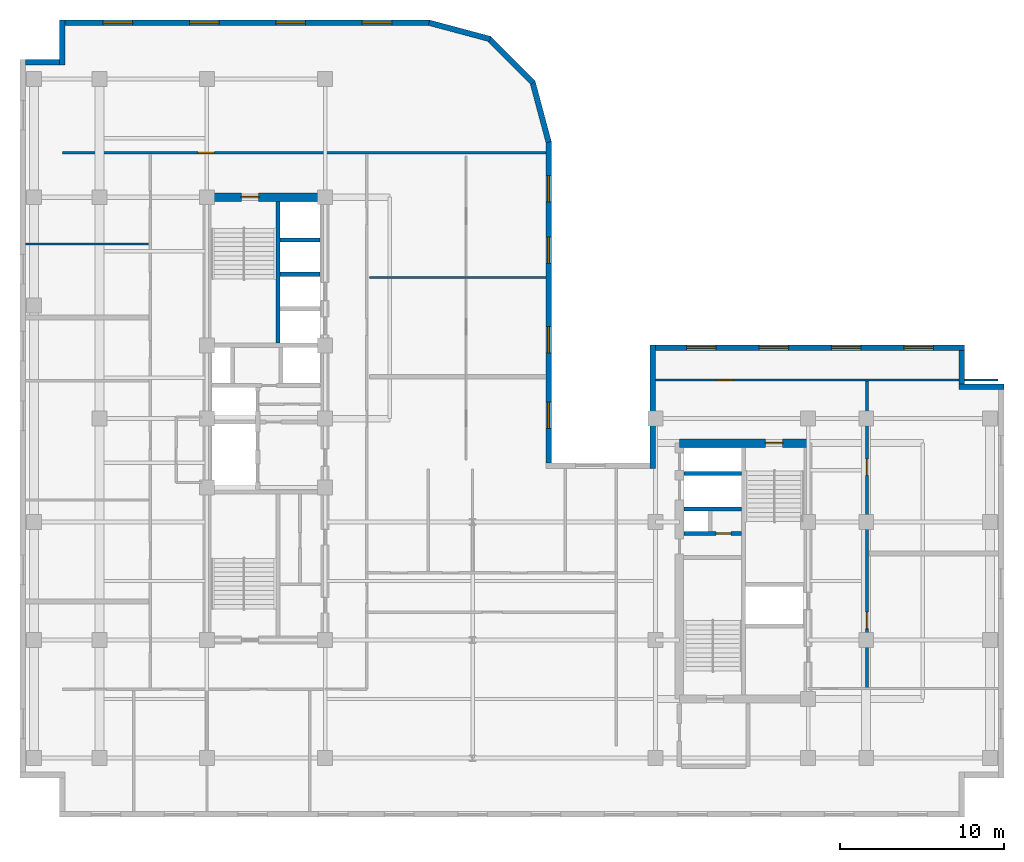
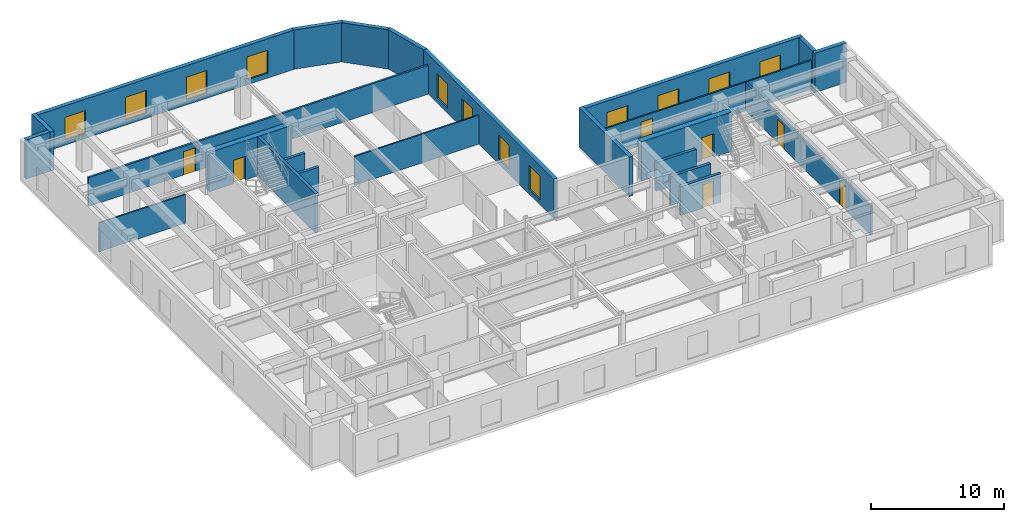
# One storey, part 7 of 11: 24 walls, 12 windows, 7 doors, 19 openings.
"""IFC4 building model written with IfcOpenShell, lengths in metres."""

from ifc_helpers import new_model, entity, si_unit, converted_unit, direction, frame, origin_with_axes, origin_2d_with_axis, place, context, subcontext, project, spatial, polyline, rectangle, outline, extrude, material, layer, layer_set, type_object, element, fill, save


model = new_model("IFC4")

# Units and contexts
model_context = context("Model", 3, precision=1e-05, world=origin_with_axes(), true_north=direction((0.0, 1.0)))
body_context = subcontext(model_context, "Body", "Model", "MODEL_VIEW")
ifc_project = project(units=[si_unit("LENGTHUNIT", "METRE"), si_unit("AREAUNIT", "SQUARE_METRE"), si_unit("VOLUMEUNIT", "CUBIC_METRE"), converted_unit("PLANEANGLEUNIT", "DEGREE", entity("IfcPlaneAngleMeasure", 0.017453292519943295), si_unit("PLANEANGLEUNIT", "RADIAN"), dimensions=[0, 0, 0, 0, 0, 0, 0]), si_unit("MASSUNIT", "GRAM", prefix="KILO"), si_unit("THERMODYNAMICTEMPERATUREUNIT", "KELVIN")], contexts=[model_context])

# Site, building, storey
site_placement = place(None, origin_with_axes())
site = spatial("IfcSite", under=ifc_project, at=site_placement, CompositionType="ELEMENT")
building_placement = place(site_placement, origin_with_axes())
building = spatial("IfcBuilding", under=site, at=building_placement, Name="Varnlund Millrace Tower", CompositionType="ELEMENT")
storey_placement = place(building_placement, frame((0.0, 0.0, 216.0), z_axis=(0.0, 0.0, 1.0), x_axis=(1.0, 0.0, 0.0)))
storey = spatial("IfcBuildingStorey", under=building, at=storey_placement, Name="L53", CompositionType="ELEMENT", Elevation=216.0)

# Wall, opening, door
ifc_material_1 = material(Name="Concrete C70/85", Category="concrete")
ifc_layer_1 = layer(ifc_material_1, 0.5, Name="Concrete C70/85")
ifc_layer_set_1 = layer_set([ifc_layer_1], Name="Concrete C70/85")
wall_type_1 = type_object("IfcWallType", Name="Type-CoreWall-Shear-500-C70", PredefinedType="SHEAR", material=ifc_layer_set_1)
wall_1_placement = place(storey_placement, frame((11.4, 37.8, 0.0), z_axis=(0.0, 0.0, 1.0), x_axis=(1.0, 0.0, 0.0)))
wall_1 = element("IfcWall", 1, at=wall_1_placement, inside=storey, type_object=wall_type_1, Name="Type-CoreWall-Shear-500-C70", PredefinedType="SHEAR", context=body_context, shape_type="SweptSolid", body=[
    extrude(outline(polyline([(0.0, -0.25), (7.2, -0.25), (7.2, 0.25), (0.0, 0.25), (0.0, -0.25)])), origin_with_axes(), (0.0, 0.0, 1.0), 3.6),
])
opening_1_placement = place(wall_1_placement, frame((2.625, 0.0, 0.0), z_axis=(0.0, 0.0, 1.0), x_axis=(1.0, 0.0, 0.0)))
opening_1 = element("IfcOpeningElement", 2, at=opening_1_placement, cuts=wall_1, Name="Opening L53:DR-STA2", PredefinedType="OPENING", context=body_context, shape_type="SweptSolid", body=[
    extrude(rectangle(XDim=1.05, YDim=0.52, at=origin_2d_with_axis()), origin_with_axes(), (0.0, 0.0, 1.0), 2.15),
])
ifc_material_2 = material(Name="Fire-rated hollow steel door", Category="steel")
door_type_1 = type_object("IfcDoorType", Name="Type-FireDoor-Stair-1050X2150", OperationType="NOTDEFINED", PredefinedType="DOOR", material=ifc_material_2)
door_1_placement = place(wall_1_placement, frame((2.625, 0.0, 0.0), z_axis=(0.0, 0.0, 1.0), x_axis=(1.0, 0.0, 0.0)))
door_1 = element("IfcDoor", 3, at=door_1_placement, inside=storey, type_object=door_type_1, Name="Type-FireDoor-Stair-1050X2150", OperationType="SINGLE_SWING_RIGHT", OverallHeight=2.15, OverallWidth=1.05, PredefinedType="DOOR", context=body_context, shape_type="SweptSolid", body=[
    extrude(rectangle(XDim=1.05, YDim=0.09, at=origin_2d_with_axis()), origin_with_axes(), (0.0, 0.0, 1.0), 2.15),
])
fill(opening_1, door_1)

wall_2_placement = place(storey_placement, frame((40.2, 22.8, 0.0), z_axis=(0.0, 0.0, 1.0), x_axis=(1.0, 0.0, 0.0)))
wall_2 = element("IfcWall", 4, at=wall_2_placement, inside=storey, type_object=wall_type_1, Name="Type-CoreWall-Shear-500-C70", PredefinedType="SHEAR", context=body_context, shape_type="SweptSolid", body=[
    extrude(outline(polyline([(0.0, -0.25), (7.85, -0.25), (7.85, 0.25), (0.0, 0.25), (0.0, -0.25)])), origin_with_axes(), (0.0, 0.0, 1.0), 3.6),
])
opening_2_placement = place(wall_2_placement, frame((5.775, 0.0, 0.0), z_axis=(0.0, 0.0, 1.0), x_axis=(1.0, 0.0, 0.0)))
opening_2 = element("IfcOpeningElement", 5, at=opening_2_placement, cuts=wall_2, Name="Opening L53:DR-STB2", PredefinedType="OPENING", context=body_context, shape_type="SweptSolid", body=[
    extrude(rectangle(XDim=1.05, YDim=0.52, at=origin_2d_with_axis()), origin_with_axes(), (0.0, 0.0, 1.0), 2.15),
])
door_2_placement = place(wall_2_placement, frame((5.775, 0.0, 0.0), z_axis=(0.0, 0.0, 1.0), x_axis=(1.0, 0.0, 0.0)))
door_2 = element("IfcDoor", 6, at=door_2_placement, inside=storey, type_object=door_type_1, Name="Type-FireDoor-Stair-1050X2150", OperationType="SINGLE_SWING_RIGHT", OverallHeight=2.15, OverallWidth=1.05, PredefinedType="DOOR", context=body_context, shape_type="SweptSolid", body=[
    extrude(rectangle(XDim=1.05, YDim=0.09, at=origin_2d_with_axis()), origin_with_axes(), (0.0, 0.0, 1.0), 2.15),
])
fill(opening_2, door_2)

# Wall
ifc_material_3 = material(Name="Precast concrete C50/60", Category="concrete")
ifc_layer_2 = layer(ifc_material_3, 0.34, Name="Precast concrete C50/60")
ifc_layer_set_2 = layer_set([ifc_layer_2], Name="Precast concrete C50/60")
wall_type_2 = type_object("IfcWallType", Name="Type-ExtWall-Precast-Upper-340", PredefinedType="SOLIDWALL", material=ifc_layer_set_2)
wall_3_placement = place(storey_placement, frame((38.57, 21.26, 0.0), z_axis=(0.0, 0.0, 1.0), x_axis=(0.0, 1.0, 0.0)))
element("IfcWall", 7, at=wall_3_placement, inside=storey, type_object=wall_type_2, Name="Type-ExtWall-Precast-Upper-340", PredefinedType="SOLIDWALL", context=body_context, shape_type="SweptSolid", body=[
    extrude(outline(polyline([(0.0, -0.17), (7.54, -0.17), (7.54, 0.17), (0.0, 0.17), (0.0, -0.17)])), origin_with_axes(), (0.0, 0.0, 1.0), 3.6),
])

# Wall, openings, windows
wall_4_placement = place(storey_placement, frame((38.74, 28.63, 0.0), z_axis=(0.0, 0.0, 1.0), x_axis=(1.0, 0.0, 0.0)))
wall_4 = element("IfcWall", 8, at=wall_4_placement, inside=storey, type_object=wall_type_2, Name="Type-ExtWall-Precast-Upper-340", PredefinedType="SOLIDWALL", context=body_context, shape_type="SweptSolid", body=[
    extrude(outline(polyline([(0.0, -0.17), (18.86, -0.17), (18.86, 0.17), (0.0, 0.17), (0.0, -0.17)])), origin_with_axes(), (0.0, 0.0, 1.0), 3.6),
])
opening_3_placement = place(wall_4_placement, frame((2.808, 0.0, 0.45), z_axis=(0.0, 0.0, 1.0), x_axis=(1.0, 0.0, 0.0)))
opening_3 = element("IfcOpeningElement", 9, at=opening_3_placement, cuts=wall_4, Name="Opening L53:WN-01", PredefinedType="OPENING", context=body_context, shape_type="SweptSolid", body=[
    extrude(rectangle(XDim=1.8, YDim=0.36, at=origin_2d_with_axis()), origin_with_axes(), (0.0, 0.0, 1.0), 2.1),
])
opening_4_placement = place(wall_4_placement, frame((7.222, 0.0, 0.45), z_axis=(0.0, 0.0, 1.0), x_axis=(1.0, 0.0, 0.0)))
opening_4 = element("IfcOpeningElement", 10, at=opening_4_placement, cuts=wall_4, Name="Opening L53:WN-02", PredefinedType="OPENING", context=body_context, shape_type="SweptSolid", body=[
    extrude(rectangle(XDim=1.8, YDim=0.36, at=origin_2d_with_axis()), origin_with_axes(), (0.0, 0.0, 1.0), 2.1),
])
opening_5_placement = place(wall_4_placement, frame((11.637, 0.0, 0.45), z_axis=(0.0, 0.0, 1.0), x_axis=(1.0, 0.0, 0.0)))
opening_5 = element("IfcOpeningElement", 11, at=opening_5_placement, cuts=wall_4, Name="Opening L53:WN-03", PredefinedType="OPENING", context=body_context, shape_type="SweptSolid", body=[
    extrude(rectangle(XDim=1.8, YDim=0.36, at=origin_2d_with_axis()), origin_with_axes(), (0.0, 0.0, 1.0), 2.1),
])
opening_6_placement = place(wall_4_placement, frame((16.053, 0.0, 0.45), z_axis=(0.0, 0.0, 1.0), x_axis=(1.0, 0.0, 0.0)))
opening_6 = element("IfcOpeningElement", 12, at=opening_6_placement, cuts=wall_4, Name="Opening L53:WN-04", PredefinedType="OPENING", context=body_context, shape_type="SweptSolid", body=[
    extrude(rectangle(XDim=1.8, YDim=0.36, at=origin_2d_with_axis()), origin_with_axes(), (0.0, 0.0, 1.0), 2.1),
])
ifc_material_4 = material(Name="Argon low-e triple glazing in thermally broken bronze frame", Category="glass")
window_type_1 = type_object("IfcWindowType", Name="Type-Window-Punched-1800X2100", PartitioningType="SINGLE_PANEL", PredefinedType="WINDOW", material=ifc_material_4)
window_1_placement = place(wall_4_placement, frame((2.808, 0.0, 0.45), z_axis=(0.0, 0.0, 1.0), x_axis=(1.0, 0.0, 0.0)))
window_1 = element("IfcWindow", 13, at=window_1_placement, inside=storey, type_object=window_type_1, Name="Type-Window-Punched-1800X2100", OverallHeight=2.1, OverallWidth=1.8, PredefinedType="WINDOW", context=body_context, shape_type="SweptSolid", body=[
    extrude(rectangle(XDim=1.8, YDim=0.09, at=origin_2d_with_axis()), origin_with_axes(), (0.0, 0.0, 1.0), 2.1),
])
fill(opening_3, window_1)
window_2_placement = place(wall_4_placement, frame((7.222, 0.0, 0.45), z_axis=(0.0, 0.0, 1.0), x_axis=(1.0, 0.0, 0.0)))
window_2 = element("IfcWindow", 14, at=window_2_placement, inside=storey, type_object=window_type_1, Name="Type-Window-Punched-1800X2100", OverallHeight=2.1, OverallWidth=1.8, PredefinedType="WINDOW", context=body_context, shape_type="SweptSolid", body=[
    extrude(rectangle(XDim=1.8, YDim=0.09, at=origin_2d_with_axis()), origin_with_axes(), (0.0, 0.0, 1.0), 2.1),
])
fill(opening_4, window_2)
window_3_placement = place(wall_4_placement, frame((11.637, 0.0, 0.45), z_axis=(0.0, 0.0, 1.0), x_axis=(1.0, 0.0, 0.0)))
window_3 = element("IfcWindow", 15, at=window_3_placement, inside=storey, type_object=window_type_1, Name="Type-Window-Punched-1800X2100", OverallHeight=2.1, OverallWidth=1.8, PredefinedType="WINDOW", context=body_context, shape_type="SweptSolid", body=[
    extrude(rectangle(XDim=1.8, YDim=0.09, at=origin_2d_with_axis()), origin_with_axes(), (0.0, 0.0, 1.0), 2.1),
])
fill(opening_5, window_3)
window_4_placement = place(wall_4_placement, frame((16.053, 0.0, 0.45), z_axis=(0.0, 0.0, 1.0), x_axis=(1.0, 0.0, 0.0)))
window_4 = element("IfcWindow", 16, at=window_4_placement, inside=storey, type_object=window_type_1, Name="Type-Window-Punched-1800X2100", OverallHeight=2.1, OverallWidth=1.8, PredefinedType="WINDOW", context=body_context, shape_type="SweptSolid", body=[
    extrude(rectangle(XDim=1.8, YDim=0.09, at=origin_2d_with_axis()), origin_with_axes(), (0.0, 0.0, 1.0), 2.1),
])
fill(opening_6, window_4)

# Walls
wall_5_placement = place(storey_placement, frame((57.43, 28.46, 0.0), z_axis=(0.0, 0.0, 1.0), x_axis=(0.0, -1.0, 0.0)))
element("IfcWall", 17, at=wall_5_placement, inside=storey, type_object=wall_type_2, Name="Type-ExtWall-Precast-Upper-340", PredefinedType="SOLIDWALL", context=body_context, shape_type="SweptSolid", body=[
    extrude(outline(polyline([(0.0, -0.17), (2.06, -0.17), (2.06, 0.17), (0.0, 0.17), (0.0, -0.17)])), origin_with_axes(), (0.0, 0.0, 1.0), 3.6),
])
wall_6_placement = place(storey_placement, frame((57.26, 26.23, 0.0), z_axis=(0.0, 0.0, 1.0), x_axis=(1.0, 0.0, 0.0)))
element("IfcWall", 18, at=wall_6_placement, inside=storey, type_object=wall_type_2, Name="Type-ExtWall-Precast-Upper-340", PredefinedType="SOLIDWALL", context=body_context, shape_type="SweptSolid", body=[
    extrude(outline(polyline([(0.0, -0.17), (2.74, -0.17), (2.74, 0.17), (0.0, 0.17), (0.0, -0.17)])), origin_with_axes(), (0.0, 0.0, 1.0), 3.6),
])
wall_7_placement = place(storey_placement, frame((0.34, 46.03, 0.0), z_axis=(0.0, 0.0, 1.0), x_axis=(1.0, 0.0, 0.0)))
element("IfcWall", 19, at=wall_7_placement, inside=storey, type_object=wall_type_2, Name="Type-ExtWall-Precast-Upper-340", PredefinedType="SOLIDWALL", context=body_context, shape_type="SweptSolid", body=[
    extrude(outline(polyline([(0.0, -0.17), (2.06, -0.17), (2.06, 0.17), (0.0, 0.17), (0.0, -0.17)])), origin_with_axes(), (0.0, 0.0, 1.0), 3.6),
])
wall_8_placement = place(storey_placement, frame((2.57, 45.86, 0.0), z_axis=(0.0, 0.0, 1.0), x_axis=(0.0, 1.0, 0.0)))
element("IfcWall", 20, at=wall_8_placement, inside=storey, type_object=wall_type_2, Name="Type-ExtWall-Precast-Upper-340", PredefinedType="SOLIDWALL", context=body_context, shape_type="SweptSolid", body=[
    extrude(outline(polyline([(0.0, -0.17), (2.74, -0.17), (2.74, 0.17), (0.0, 0.17), (0.0, -0.17)])), origin_with_axes(), (0.0, 0.0, 1.0), 3.6),
])

# Wall, openings, windows
wall_9_placement = place(storey_placement, frame((2.74, 48.43, 0.0), z_axis=(0.0, 0.0, 1.0), x_axis=(1.0, 0.0, 0.0)))
wall_9 = element("IfcWall", 21, at=wall_9_placement, inside=storey, type_object=wall_type_2, Name="Type-ExtWall-Precast-Upper-340", PredefinedType="SOLIDWALL", context=body_context, shape_type="SweptSolid", body=[
    extrude(outline(polyline([(0.0, -0.17), (22.26, -0.17), (22.26, 0.17), (0.0, 0.17), (0.0, -0.17)])), origin_with_axes(), (0.0, 0.0, 1.0), 3.6),
])
opening_7_placement = place(wall_9_placement, frame((3.233, 0.0, 0.45), z_axis=(0.0, 0.0, 1.0), x_axis=(1.0, 0.0, 0.0)))
opening_7 = element("IfcOpeningElement", 22, at=opening_7_placement, cuts=wall_9, Name="Opening L53:WN-26", PredefinedType="OPENING", context=body_context, shape_type="SweptSolid", body=[
    extrude(rectangle(XDim=1.8, YDim=0.36, at=origin_2d_with_axis()), origin_with_axes(), (0.0, 0.0, 1.0), 2.1),
])
opening_8_placement = place(wall_9_placement, frame((8.497, 0.0, 0.45), z_axis=(0.0, 0.0, 1.0), x_axis=(1.0, 0.0, 0.0)))
opening_8 = element("IfcOpeningElement", 23, at=opening_8_placement, cuts=wall_9, Name="Opening L53:WN-27", PredefinedType="OPENING", context=body_context, shape_type="SweptSolid", body=[
    extrude(rectangle(XDim=1.8, YDim=0.36, at=origin_2d_with_axis()), origin_with_axes(), (0.0, 0.0, 1.0), 2.1),
])
opening_9_placement = place(wall_9_placement, frame((13.762, 0.0, 0.45), z_axis=(0.0, 0.0, 1.0), x_axis=(1.0, 0.0, 0.0)))
opening_9 = element("IfcOpeningElement", 24, at=opening_9_placement, cuts=wall_9, Name="Opening L53:WN-28", PredefinedType="OPENING", context=body_context, shape_type="SweptSolid", body=[
    extrude(rectangle(XDim=1.8, YDim=0.36, at=origin_2d_with_axis()), origin_with_axes(), (0.0, 0.0, 1.0), 2.1),
])
opening_10_placement = place(wall_9_placement, frame((19.028, 0.0, 0.45), z_axis=(0.0, 0.0, 1.0), x_axis=(1.0, 0.0, 0.0)))
opening_10 = element("IfcOpeningElement", 25, at=opening_10_placement, cuts=wall_9, Name="Opening L53:WN-29", PredefinedType="OPENING", context=body_context, shape_type="SweptSolid", body=[
    extrude(rectangle(XDim=1.8, YDim=0.36, at=origin_2d_with_axis()), origin_with_axes(), (0.0, 0.0, 1.0), 2.1),
])
window_5_placement = place(wall_9_placement, frame((3.233, 0.0, 0.45), z_axis=(0.0, 0.0, 1.0), x_axis=(1.0, 0.0, 0.0)))
window_5 = element("IfcWindow", 26, at=window_5_placement, inside=storey, type_object=window_type_1, Name="Type-Window-Punched-1800X2100", OverallHeight=2.1, OverallWidth=1.8, PredefinedType="WINDOW", context=body_context, shape_type="SweptSolid", body=[
    extrude(rectangle(XDim=1.8, YDim=0.09, at=origin_2d_with_axis()), origin_with_axes(), (0.0, 0.0, 1.0), 2.1),
])
fill(opening_7, window_5)
window_6_placement = place(wall_9_placement, frame((8.497, 0.0, 0.45), z_axis=(0.0, 0.0, 1.0), x_axis=(1.0, 0.0, 0.0)))
window_6 = element("IfcWindow", 27, at=window_6_placement, inside=storey, type_object=window_type_1, Name="Type-Window-Punched-1800X2100", OverallHeight=2.1, OverallWidth=1.8, PredefinedType="WINDOW", context=body_context, shape_type="SweptSolid", body=[
    extrude(rectangle(XDim=1.8, YDim=0.09, at=origin_2d_with_axis()), origin_with_axes(), (0.0, 0.0, 1.0), 2.1),
])
fill(opening_8, window_6)
window_7_placement = place(wall_9_placement, frame((13.762, 0.0, 0.45), z_axis=(0.0, 0.0, 1.0), x_axis=(1.0, 0.0, 0.0)))
window_7 = element("IfcWindow", 28, at=window_7_placement, inside=storey, type_object=window_type_1, Name="Type-Window-Punched-1800X2100", OverallHeight=2.1, OverallWidth=1.8, PredefinedType="WINDOW", context=body_context, shape_type="SweptSolid", body=[
    extrude(rectangle(XDim=1.8, YDim=0.09, at=origin_2d_with_axis()), origin_with_axes(), (0.0, 0.0, 1.0), 2.1),
])
fill(opening_9, window_7)
window_8_placement = place(wall_9_placement, frame((19.028, 0.0, 0.45), z_axis=(0.0, 0.0, 1.0), x_axis=(1.0, 0.0, 0.0)))
window_8 = element("IfcWindow", 29, at=window_8_placement, inside=storey, type_object=window_type_1, Name="Type-Window-Punched-1800X2100", OverallHeight=2.1, OverallWidth=1.8, PredefinedType="WINDOW", context=body_context, shape_type="SweptSolid", body=[
    extrude(rectangle(XDim=1.8, YDim=0.09, at=origin_2d_with_axis()), origin_with_axes(), (0.0, 0.0, 1.0), 2.1),
])
fill(opening_10, window_8)

# Walls
wall_10_placement = place(storey_placement, frame((24.937, 48.441, 0.0), z_axis=(0.0, 0.0, 1.0), x_axis=(0.965958, -0.258697, 0.0)))
element("IfcWall", 30, at=wall_10_placement, inside=storey, type_object=wall_type_2, Name="Type-ExtWall-Precast-Upper-340", PredefinedType="SOLIDWALL", context=body_context, shape_type="SweptSolid", body=[
    extrude(outline(polyline([(0.0, -0.17), (3.850062, -0.17), (3.850062, 0.17), (0.0, 0.17), (0.0, -0.17)])), origin_with_axes(), (0.0, 0.0, 1.0), 3.6),
])
wall_11_placement = place(storey_placement, frame((28.566, 47.503, 0.0), z_axis=(0.0, 0.0, 1.0), x_axis=(0.707107, -0.707107, 0.0)))
element("IfcWall", 31, at=wall_11_placement, inside=storey, type_object=wall_type_2, Name="Type-ExtWall-Precast-Upper-340", PredefinedType="SOLIDWALL", context=body_context, shape_type="SweptSolid", body=[
    extrude(outline(polyline([(0.0, -0.17), (3.850904, -0.17), (3.850904, 0.17), (0.0, 0.17), (0.0, -0.17)])), origin_with_axes(), (0.0, 0.0, 1.0), 3.6),
])
wall_12_placement = place(storey_placement, frame((31.24, 44.875, 0.0), z_axis=(0.0, 0.0, 1.0), x_axis=(0.258697, -0.965958, 0.0)))
element("IfcWall", 32, at=wall_12_placement, inside=storey, type_object=wall_type_2, Name="Type-ExtWall-Precast-Upper-340", PredefinedType="SOLIDWALL", context=body_context, shape_type="SweptSolid", body=[
    extrude(outline(polyline([(0.0, -0.17), (3.850062, -0.17), (3.850062, 0.17), (0.0, 0.17), (0.0, -0.17)])), origin_with_axes(), (0.0, 0.0, 1.0), 3.6),
])

# Wall, openings, windows
wall_13_placement = place(storey_placement, frame((32.23, 41.22, 0.0), z_axis=(0.0, 0.0, 1.0), x_axis=(0.0, -1.0, 0.0)))
wall_13 = element("IfcWall", 33, at=wall_13_placement, inside=storey, type_object=wall_type_2, Name="Type-ExtWall-Precast-Upper-340", PredefinedType="SOLIDWALL", context=body_context, shape_type="SweptSolid", body=[
    extrude(outline(polyline([(0.0, -0.17), (19.62, -0.17), (19.62, 0.17), (0.0, 0.17), (0.0, -0.17)])), origin_with_axes(), (0.0, 0.0, 1.0), 3.6),
])
opening_11_placement = place(wall_13_placement, frame((2.903, 0.0, 0.45), z_axis=(0.0, 0.0, 1.0), x_axis=(1.0, 0.0, 0.0)))
opening_11 = element("IfcOpeningElement", 34, at=opening_11_placement, cuts=wall_13, Name="Opening L53:WN-30", PredefinedType="OPENING", context=body_context, shape_type="SweptSolid", body=[
    extrude(rectangle(XDim=1.6, YDim=0.36, at=origin_2d_with_axis()), origin_with_axes(), (0.0, 0.0, 1.0), 2.2),
])
opening_12_placement = place(wall_13_placement, frame((6.657, 0.0, 0.45), z_axis=(0.0, 0.0, 1.0), x_axis=(1.0, 0.0, 0.0)))
opening_12 = element("IfcOpeningElement", 35, at=opening_12_placement, cuts=wall_13, Name="Opening L53:WN-31", PredefinedType="OPENING", context=body_context, shape_type="SweptSolid", body=[
    extrude(rectangle(XDim=1.6, YDim=0.36, at=origin_2d_with_axis()), origin_with_axes(), (0.0, 0.0, 1.0), 2.2),
])
opening_13_placement = place(wall_13_placement, frame((12.112, 0.0, 0.45), z_axis=(0.0, 0.0, 1.0), x_axis=(1.0, 0.0, 0.0)))
opening_13 = element("IfcOpeningElement", 36, at=opening_13_placement, cuts=wall_13, Name="Opening L53:WN-32", PredefinedType="OPENING", context=body_context, shape_type="SweptSolid", body=[
    extrude(rectangle(XDim=1.6, YDim=0.36, at=origin_2d_with_axis()), origin_with_axes(), (0.0, 0.0, 1.0), 2.2),
])
opening_14_placement = place(wall_13_placement, frame((16.718, 0.0, 0.45), z_axis=(0.0, 0.0, 1.0), x_axis=(1.0, 0.0, 0.0)))
opening_14 = element("IfcOpeningElement", 37, at=opening_14_placement, cuts=wall_13, Name="Opening L53:WN-33", PredefinedType="OPENING", context=body_context, shape_type="SweptSolid", body=[
    extrude(rectangle(XDim=1.6, YDim=0.36, at=origin_2d_with_axis()), origin_with_axes(), (0.0, 0.0, 1.0), 2.2),
])
window_type_2 = type_object("IfcWindowType", Name="Type-Window-Slot-1600X2200", PartitioningType="SINGLE_PANEL", PredefinedType="WINDOW", material=ifc_material_4)
window_9_placement = place(wall_13_placement, frame((2.903, 0.0, 0.45), z_axis=(0.0, 0.0, 1.0), x_axis=(1.0, 0.0, 0.0)))
window_9 = element("IfcWindow", 38, at=window_9_placement, inside=storey, type_object=window_type_2, Name="Type-Window-Slot-1600X2200", OverallHeight=2.2, OverallWidth=1.6, PredefinedType="WINDOW", context=body_context, shape_type="SweptSolid", body=[
    extrude(rectangle(XDim=1.6, YDim=0.09, at=origin_2d_with_axis()), origin_with_axes(), (0.0, 0.0, 1.0), 2.2),
])
fill(opening_11, window_9)
window_10_placement = place(wall_13_placement, frame((6.657, 0.0, 0.45), z_axis=(0.0, 0.0, 1.0), x_axis=(1.0, 0.0, 0.0)))
window_10 = element("IfcWindow", 39, at=window_10_placement, inside=storey, type_object=window_type_2, Name="Type-Window-Slot-1600X2200", OverallHeight=2.2, OverallWidth=1.6, PredefinedType="WINDOW", context=body_context, shape_type="SweptSolid", body=[
    extrude(rectangle(XDim=1.6, YDim=0.09, at=origin_2d_with_axis()), origin_with_axes(), (0.0, 0.0, 1.0), 2.2),
])
fill(opening_12, window_10)
window_11_placement = place(wall_13_placement, frame((12.112, 0.0, 0.45), z_axis=(0.0, 0.0, 1.0), x_axis=(1.0, 0.0, 0.0)))
window_11 = element("IfcWindow", 40, at=window_11_placement, inside=storey, type_object=window_type_2, Name="Type-Window-Slot-1600X2200", OverallHeight=2.2, OverallWidth=1.6, PredefinedType="WINDOW", context=body_context, shape_type="SweptSolid", body=[
    extrude(rectangle(XDim=1.6, YDim=0.09, at=origin_2d_with_axis()), origin_with_axes(), (0.0, 0.0, 1.0), 2.2),
])
fill(opening_13, window_11)
window_12_placement = place(wall_13_placement, frame((16.718, 0.0, 0.45), z_axis=(0.0, 0.0, 1.0), x_axis=(1.0, 0.0, 0.0)))
window_12 = element("IfcWindow", 41, at=window_12_placement, inside=storey, type_object=window_type_2, Name="Type-Window-Slot-1600X2200", OverallHeight=2.2, OverallWidth=1.6, PredefinedType="WINDOW", context=body_context, shape_type="SweptSolid", body=[
    extrude(rectangle(XDim=1.6, YDim=0.09, at=origin_2d_with_axis()), origin_with_axes(), (0.0, 0.0, 1.0), 2.2),
])
fill(opening_14, window_12)

# Wall, opening, door
ifc_material_5 = material(Name="Fire-rated gypsum board on cold-formed steel framing", Category="steel")
ifc_layer_3 = layer(ifc_material_5, 0.16, Name="Fire-rated gypsum board on cold-formed steel framing")
ifc_layer_set_3 = layer_set([ifc_layer_3], Name="Fire-rated gypsum board on cold-formed steel framing")
wall_type_3 = type_object("IfcWallType", Name="Type-Partition-Corridor-160", PredefinedType="PARTITIONING", material=ifc_layer_set_3)
wall_14_placement = place(storey_placement, frame((2.6, 40.5, 0.0), z_axis=(0.0, 0.0, 1.0), x_axis=(1.0, 0.0, 0.0)))
wall_14 = element("IfcWall", 42, at=wall_14_placement, inside=storey, type_object=wall_type_3, Name="Type-Partition-Corridor-160", PredefinedType="PARTITIONING", context=body_context, shape_type="SweptSolid", body=[
    extrude(outline(polyline([(0.0, -0.08), (29.465, -0.08), (29.465, 0.08), (0.0, 0.08), (0.0, -0.08)])), origin_with_axes(), (0.0, 0.0, 1.0), 2.64),
])
opening_15_placement = place(wall_14_placement, frame((8.755, 0.0, 0.0), z_axis=(0.0, 0.0, 1.0), x_axis=(1.0, 0.0, 0.0)))
opening_15 = element("IfcOpeningElement", 43, at=opening_15_placement, cuts=wall_14, Name="Opening L53:DR-WAN-01", PredefinedType="OPENING", context=body_context, shape_type="SweptSolid", body=[
    extrude(rectangle(XDim=1.0, YDim=0.18, at=origin_2d_with_axis()), origin_with_axes(), (0.0, 0.0, 1.0), 2.15),
])
ifc_material_6 = material(Name="Solid-core white oak and bronze frame door")
door_type_2 = type_object("IfcDoorType", Name="Type-IntDoor-Office-1000X2150", OperationType="NOTDEFINED", PredefinedType="DOOR", material=ifc_material_6)
door_3_placement = place(wall_14_placement, frame((8.755, 0.0, 0.0), z_axis=(0.0, 0.0, 1.0), x_axis=(1.0, 0.0, 0.0)))
door_3 = element("IfcDoor", 44, at=door_3_placement, inside=storey, type_object=door_type_2, Name="Type-IntDoor-Office-1000X2150", OperationType="SINGLE_SWING_LEFT", OverallHeight=2.15, OverallWidth=1.0, PredefinedType="DOOR", context=body_context, shape_type="SweptSolid", body=[
    extrude(rectangle(XDim=1.0, YDim=0.09, at=origin_2d_with_axis()), origin_with_axes(), (0.0, 0.0, 1.0), 2.15),
])
fill(opening_15, door_3)

# Wall, openings, doors
wall_15_placement = place(storey_placement, frame((51.65, 7.85, 0.0), z_axis=(0.0, 0.0, 1.0), x_axis=(0.0, 1.0, 0.0)))
wall_15 = element("IfcWall", 45, at=wall_15_placement, inside=storey, type_object=wall_type_3, Name="Type-Partition-Corridor-160", PredefinedType="PARTITIONING", context=body_context, shape_type="SweptSolid", body=[
    extrude(outline(polyline([(0.0, -0.08), (18.8, -0.08), (18.8, 0.08), (0.0, 0.08), (0.0, -0.08)])), origin_with_axes(), (0.0, 0.0, 1.0), 2.64),
])
opening_16_placement = place(wall_15_placement, frame((4.1425, 0.0, 0.0), z_axis=(0.0, 0.0, 1.0), x_axis=(1.0, 0.0, 0.0)))
opening_16 = element("IfcOpeningElement", 46, at=opening_16_placement, cuts=wall_15, Name="Opening L53:DR-WB-01", PredefinedType="OPENING", context=body_context, shape_type="SweptSolid", body=[
    extrude(rectangle(XDim=1.0, YDim=0.18, at=origin_2d_with_axis()), origin_with_axes(), (0.0, 0.0, 1.0), 2.15),
])
opening_17_placement = place(wall_15_placement, frame((13.4825, 0.0, 0.0), z_axis=(0.0, 0.0, 1.0), x_axis=(1.0, 0.0, 0.0)))
opening_17 = element("IfcOpeningElement", 47, at=opening_17_placement, cuts=wall_15, Name="Opening L53:DR-WB-02", PredefinedType="OPENING", context=body_context, shape_type="SweptSolid", body=[
    extrude(rectangle(XDim=1.0, YDim=0.18, at=origin_2d_with_axis()), origin_with_axes(), (0.0, 0.0, 1.0), 2.15),
])
door_4_placement = place(wall_15_placement, frame((4.1425, 0.0, 0.0), z_axis=(0.0, 0.0, 1.0), x_axis=(1.0, 0.0, 0.0)))
door_4 = element("IfcDoor", 48, at=door_4_placement, inside=storey, type_object=door_type_2, Name="Type-IntDoor-Office-1000X2150", OperationType="SINGLE_SWING_LEFT", OverallHeight=2.15, OverallWidth=1.0, PredefinedType="DOOR", context=body_context, shape_type="SweptSolid", body=[
    extrude(rectangle(XDim=1.0, YDim=0.09, at=origin_2d_with_axis()), origin_with_axes(), (0.0, 0.0, 1.0), 2.15),
])
fill(opening_16, door_4)
door_5_placement = place(wall_15_placement, frame((13.4825, 0.0, 0.0), z_axis=(0.0, 0.0, 1.0), x_axis=(1.0, 0.0, 0.0)))
door_5 = element("IfcDoor", 49, at=door_5_placement, inside=storey, type_object=door_type_2, Name="Type-IntDoor-Office-1000X2150", OperationType="SINGLE_SWING_RIGHT", OverallHeight=2.15, OverallWidth=1.0, PredefinedType="DOOR", context=body_context, shape_type="SweptSolid", body=[
    extrude(rectangle(XDim=1.0, YDim=0.09, at=origin_2d_with_axis()), origin_with_axes(), (0.0, 0.0, 1.0), 2.15),
])
fill(opening_17, door_5)

# Walls
ifc_material_7 = material(Name="Gypsum board tenant partition", Category="gypsum")
ifc_layer_4 = layer(ifc_material_7, 0.125, Name="Gypsum board tenant partition")
ifc_layer_set_4 = layer_set([ifc_layer_4], Name="Gypsum board tenant partition")
wall_type_4 = type_object("IfcWallType", Name="Type-Partition-Tenant-125", PredefinedType="PARTITIONING", material=ifc_layer_set_4)
wall_16_placement = place(storey_placement, frame((0.335, 34.954, 0.0), z_axis=(0.0, 0.0, 1.0), x_axis=(1.0, 0.0, 0.0)))
element("IfcWall", 50, at=wall_16_placement, inside=storey, type_object=wall_type_4, Name="Type-Partition-Tenant-125", PredefinedType="PARTITIONING", context=body_context, shape_type="SweptSolid", body=[
    extrude(outline(polyline([(0.0, -0.0625), (7.495, -0.0625), (7.495, 0.0625), (0.0, 0.0625), (0.0, -0.0625)])), origin_with_axes(), (0.0, 0.0, 1.0), 2.64),
])
wall_17_placement = place(storey_placement, frame((21.3, 32.908, 0.0), z_axis=(0.0, 0.0, 1.0), x_axis=(1.0, 0.0, 0.0)))
element("IfcWall", 51, at=wall_17_placement, inside=storey, type_object=wall_type_4, Name="Type-Partition-Tenant-125", PredefinedType="PARTITIONING", context=body_context, shape_type="SweptSolid", body=[
    extrude(outline(polyline([(0.0, -0.0625), (10.765, -0.0625), (10.765, 0.0625), (0.0, 0.0625), (0.0, -0.0625)])), origin_with_axes(), (0.0, 0.0, 1.0), 2.64),
])

# Wall, opening, door
wall_18_placement = place(storey_placement, frame((38.735, 26.65, 0.0), z_axis=(0.0, 0.0, 1.0), x_axis=(1.0, 0.0, 0.0)))
wall_18 = element("IfcWall", 52, at=wall_18_placement, inside=storey, type_object=wall_type_4, Name="Type-Partition-Tenant-125", PredefinedType="PARTITIONING", context=body_context, shape_type="SweptSolid", body=[
    extrude(outline(polyline([(0.0, -0.0625), (20.905, -0.0625), (20.905, 0.0625), (0.0, 0.0625), (0.0, -0.0625)])), origin_with_axes(), (0.0, 0.0, 1.0), 2.64),
])
opening_18_placement = place(wall_18_placement, frame((4.265, 0.0, 0.0), z_axis=(0.0, 0.0, 1.0), x_axis=(1.0, 0.0, 0.0)))
opening_18 = element("IfcOpeningElement", 53, at=opening_18_placement, cuts=wall_18, Name="Opening L53:DR-WBN-01", PredefinedType="OPENING", context=body_context, shape_type="SweptSolid", body=[
    extrude(rectangle(XDim=1.0, YDim=0.145, at=origin_2d_with_axis()), origin_with_axes(), (0.0, 0.0, 1.0), 2.15),
])
door_6_placement = place(wall_18_placement, frame((4.265, 0.0, 0.0), z_axis=(0.0, 0.0, 1.0), x_axis=(1.0, 0.0, 0.0)))
door_6 = element("IfcDoor", 54, at=door_6_placement, inside=storey, type_object=door_type_2, Name="Type-IntDoor-Office-1000X2150", OperationType="SINGLE_SWING_RIGHT", OverallHeight=2.15, OverallWidth=1.0, PredefinedType="DOOR", context=body_context, shape_type="SweptSolid", body=[
    extrude(rectangle(XDim=1.0, YDim=0.075, at=origin_2d_with_axis()), origin_with_axes(), (0.0, 0.0, 1.0), 2.15),
])
fill(opening_18, door_6)

ifc_material_8 = material(Name="Concrete C60/75", Category="concrete")
ifc_layer_5 = layer(ifc_material_8, 0.25, Name="Concrete C60/75")
ifc_layer_set_5 = layer_set([ifc_layer_5], Name="Concrete C60/75")
wall_type_5 = type_object("IfcWallType", Name="Type-ShaftWall-Fire-250", PredefinedType="SOLIDWALL", material=ifc_layer_set_5)
wall_19_placement = place(storey_placement, frame((40.5, 17.3, 0.0), z_axis=(0.0, 0.0, 1.0), x_axis=(1.0, 0.0, 0.0)))
wall_19 = element("IfcWall", 55, at=wall_19_placement, inside=storey, type_object=wall_type_5, Name="Type-ShaftWall-Fire-250", PredefinedType="SOLIDWALL", context=body_context, shape_type="SweptSolid", body=[
    extrude(outline(polyline([(0.0, -0.125), (3.5, -0.125), (3.5, 0.125), (0.0, 0.125), (0.0, -0.125)])), origin_with_axes(), (0.0, 0.0, 1.0), 2.64),
])
opening_19_placement = place(wall_19_placement, frame((2.4, 0.0, 0.0), z_axis=(0.0, 0.0, 1.0), x_axis=(1.0, 0.0, 0.0)))
opening_19 = element("IfcOpeningElement", 56, at=opening_19_placement, cuts=wall_19, Name="Opening L53:DR-CB-ELC", PredefinedType="OPENING", context=body_context, shape_type="SweptSolid", body=[
    extrude(rectangle(XDim=0.9, YDim=0.27, at=origin_2d_with_axis()), origin_with_axes(), (0.0, 0.0, 1.0), 2.15),
])
ifc_material_9 = material(Name="Fire-rated hollow steel service closet door", Category="steel")
door_type_3 = type_object("IfcDoorType", Name="Type-FireDoor-Closet-900X2150", OperationType="NOTDEFINED", PredefinedType="DOOR", material=ifc_material_9)
door_7_placement = place(wall_19_placement, frame((2.4, 0.0, 0.0), z_axis=(0.0, 0.0, 1.0), x_axis=(1.0, 0.0, 0.0)))
door_7 = element("IfcDoor", 57, at=door_7_placement, inside=storey, type_object=door_type_3, Name="Type-FireDoor-Closet-900X2150", OperationType="SINGLE_SWING_LEFT", OverallHeight=2.15, OverallWidth=0.9, PredefinedType="DOOR", context=body_context, shape_type="SweptSolid", body=[
    extrude(rectangle(XDim=0.9, YDim=0.09, at=origin_2d_with_axis()), origin_with_axes(), (0.0, 0.0, 1.0), 2.15),
])
fill(opening_19, door_7)

# Walls
wall_20_placement = place(storey_placement, frame((40.5, 18.8, 0.0), z_axis=(0.0, 0.0, 1.0), x_axis=(1.0, 0.0, 0.0)))
element("IfcWall", 58, at=wall_20_placement, inside=storey, type_object=wall_type_5, Name="Type-ShaftWall-Fire-250", PredefinedType="SOLIDWALL", context=body_context, shape_type="SweptSolid", body=[
    extrude(outline(polyline([(0.0, -0.125), (3.5, -0.125), (3.5, 0.125), (0.0, 0.125), (0.0, -0.125)])), origin_with_axes(), (0.0, 0.0, 1.0), 2.64),
])
for number, where, z_axis, x_axis, name in (
    (59, (15.84, 33.1, 0.0), (0.0, 0.0, 1.0), (1.0, 0.0, 0.0), "Type-ShaftWall-Fire-250"),
    (60, (15.84, 35.2, 0.0), (0.0, 0.0, 1.0), (1.0, 0.0, 0.0), "Type-ShaftWall-Fire-250"),
):
    element("IfcWall", number, at=place(storey_placement, frame(where, z_axis=z_axis, x_axis=x_axis)), inside=storey, type_object=wall_type_5, Name=name, PredefinedType="SOLIDWALL", context=body_context, shape_type="SweptSolid", body=[
        extrude(outline(polyline([(0.0, -0.125), (2.46, -0.125), (2.46, 0.125), (0.0, 0.125), (0.0, -0.125)])), origin_with_axes(), (0.0, 0.0, 1.0), 2.64),
    ])
wall_21_placement = place(storey_placement, frame((40.5, 20.96, 0.0), z_axis=(0.0, 0.0, 1.0), x_axis=(1.0, 0.0, 0.0)))
element("IfcWall", 61, at=wall_21_placement, inside=storey, type_object=wall_type_5, Name="Type-ShaftWall-Fire-250", PredefinedType="SOLIDWALL", context=body_context, shape_type="SweptSolid", body=[
    extrude(outline(polyline([(0.0, -0.125), (3.5, -0.125), (3.5, 0.125), (0.0, 0.125), (0.0, -0.125)])), origin_with_axes(), (0.0, 0.0, 1.0), 2.64),
])
wall_type_6 = type_object("IfcWallType", Name="Type-StairWall-Shear-250", PredefinedType="SHEAR", material=ifc_layer_set_5)
wall_22_placement = place(storey_placement, frame((15.725, 28.9, 0.0), z_axis=(0.0, 0.0, 1.0), x_axis=(0.0, 1.0, 0.0)))
element("IfcWall", 62, at=wall_22_placement, inside=storey, type_object=wall_type_6, Name="Type-StairWall-Shear-250", PredefinedType="SHEAR", context=body_context, shape_type="SweptSolid", body=[
    extrude(outline(polyline([(0.0, -0.125), (8.65, -0.125), (8.65, 0.125), (0.0, 0.125), (0.0, -0.125)])), origin_with_axes(), (0.0, 0.0, 1.0), 3.6),
])

save(model, "model.ifc")
